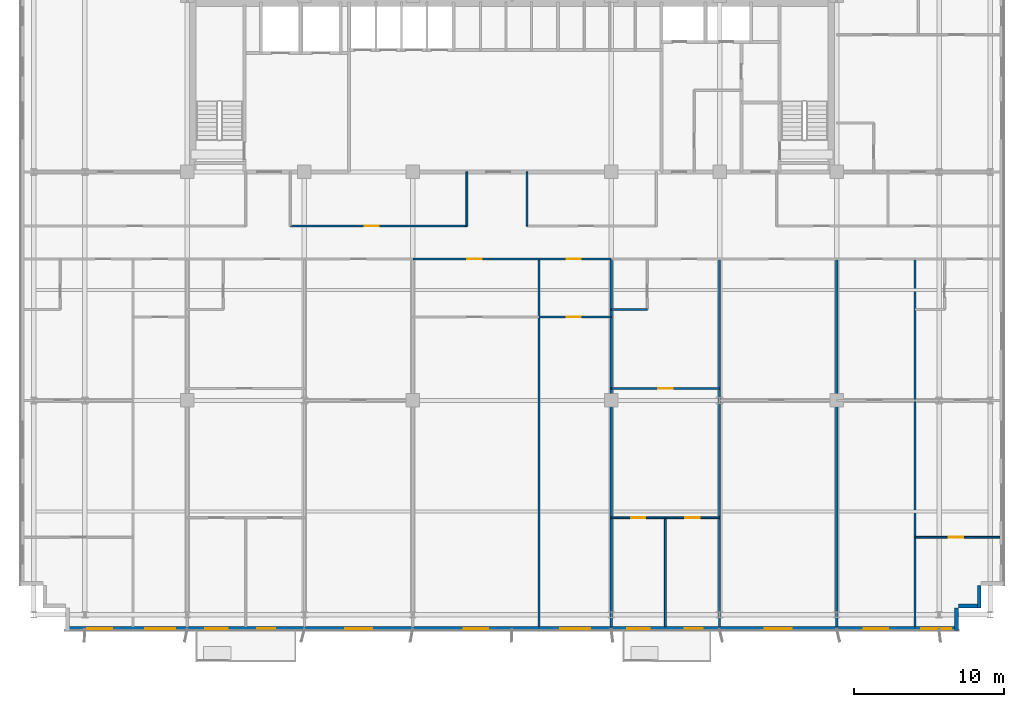
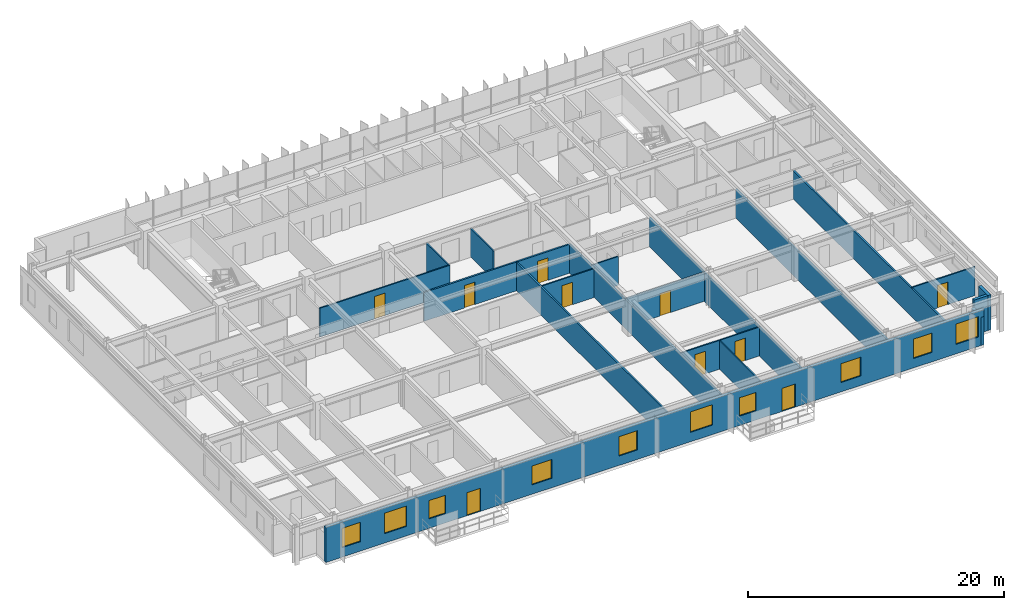
# One storey, part 16 of 22: 21 walls, 10 doors, 10 windows, 20 openings.
"""IFC4 building model written with IfcOpenShell, lengths in metres."""

import ifcopenshell
import ifcopenshell.guid

model = None  # the IFC model being written
_history = None  # IfcOwnerHistory: only IFC2X3 demands one
_inside = {}  # id of a spatial element -> (the spatial element, [elements in it])
_under = {}  # id of a project, library or spatial element -> (it, [spatial elements below it])
_declared = {}  # id of a project -> (the project, [libraries it declares])
_typed = {}  # id of a type object -> (the type object, [elements of that type])
_made_of = {}  # id of a material, layer set ... -> (it, [elements and type objects made of it])


def new_model(schema):
    """Start an empty IFC model of exactly this schema.

    Asked for "IFC4X3", IfcOpenShell would pick the latest addendum, in which some entities
    have other attributes; the version numbers below select the first issue.
    IFC2X3 requires an IfcOwnerHistory on every rooted entity: one is made here for all.
    """
    global model, _history
    if schema == "IFC4X3":
        model = ifcopenshell.file(schema_version=(4, 3, 0, 0))
    else:
        model = ifcopenshell.file(schema=schema)
    _inside.clear()
    _under.clear()
    _declared.clear()
    _typed.clear()
    _made_of.clear()
    _history = None
    if model.schema == "IFC2X3":
        org = make("IfcOrganization", Name="unknown")
        user = make(
            "IfcPersonAndOrganization",
            ThePerson=make("IfcPerson", FamilyName="unknown"),
            TheOrganization=org,
        )
        app = make(
            "IfcApplication",
            ApplicationDeveloper=org,
            Version="unknown",
            ApplicationFullName="unknown",
            ApplicationIdentifier="unknown",
        )
        _history = make(
            "IfcOwnerHistory",
            OwningUser=user,
            OwningApplication=app,
            ChangeAction="ADDED",
            CreationDate=0,
        )
    return model


def make(cls, **values):
    """One entity of the class cls with the attributes given. An attribute that is None is left unset."""
    return model.create_entity(
        cls, **{name: value for name, value in values.items() if value is not None}
    )


def rooted(cls, **values):
    """An entity with a GlobalId (a new one), such as an element, a storey or a relation."""
    return make(cls, GlobalId=ifcopenshell.guid.new(), OwnerHistory=_history, **values)


def si_unit(unit_type, name, prefix=None):
    """IfcSIUnit, for example si_unit("LENGTHUNIT", "METRE", prefix="MILLI")."""
    return make("IfcSIUnit", UnitType=unit_type, Prefix=prefix, Name=name)


def assignment(units):
    """IfcUnitAssignment: the units of a project."""
    return None if units is None else make("IfcUnitAssignment", Units=units)


def point(xyz):
    """IfcCartesianPoint."""
    return None if xyz is None else make("IfcCartesianPoint", Coordinates=xyz)


def direction(xyz):
    """IfcDirection."""
    return None if xyz is None else make("IfcDirection", DirectionRatios=xyz)


def frame(location, z_axis=None, x_axis=None):
    """IfcAxis2Placement3D, a coordinate frame: its origin and axes. An axis left out is left unset."""
    return make(
        "IfcAxis2Placement3D",
        Location=point(location),
        Axis=direction(z_axis),
        RefDirection=direction(x_axis),
    )


def frame_2d(location, x_axis=None):
    """IfcAxis2Placement2D, a coordinate frame in the plane: its origin and x axis."""
    return make(
        "IfcAxis2Placement2D", Location=point(location), RefDirection=direction(x_axis)
    )


def origin():
    """The frame at (0, 0, 0) with its axes left unset."""
    return frame((0.0, 0.0, 0.0))


def place(relative_to, where):
    """IfcLocalPlacement: puts the frame where relative to a parent placement (None: the world)."""
    return make(
        "IfcLocalPlacement", PlacementRelTo=relative_to, RelativePlacement=where
    )


def context(
    kind, dimensions, precision=None, world=None, true_north=None, identifier=None
):
    """IfcGeometricRepresentationContext, for example the 3D "Model" context."""
    return make(
        "IfcGeometricRepresentationContext",
        ContextIdentifier=identifier,
        ContextType=kind,
        CoordinateSpaceDimension=dimensions,
        Precision=precision,
        WorldCoordinateSystem=world,
        TrueNorth=true_north,
    )


def subcontext(parent, identifier, kind, view, scale=None):
    """IfcGeometricRepresentationSubContext, for example "Body" below "Model"."""
    return make(
        "IfcGeometricRepresentationSubContext",
        ContextIdentifier=identifier,
        ContextType=kind,
        ParentContext=parent,
        TargetScale=scale,
        TargetView=view,
    )


def project(units=None, contexts=None):
    """IfcProject with its units and contexts."""
    return rooted(
        "IfcProject",
        Name="project",
        RepresentationContexts=contexts,
        UnitsInContext=assignment(units),
    )


def spatial(cls, under=None, at=None, **own):
    """A site, building, storey or space (cls), placed at a placement, below another one or the project."""
    s = rooted(cls, ObjectPlacement=at, **own)
    if under is not None:
        _under.setdefault(under.id(), (under, []))[1].append(s)
    return s


def profile(cls, at=None, kind="AREA", **sizes):
    """A parametric profile (cls). Its sizes go by their IFC names, for example OverallWidth=200.0."""
    return make(cls, ProfileType=kind, Position=at, **sizes)


def rectangle(**sizes):
    """IfcRectangleProfileDef."""
    return profile("IfcRectangleProfileDef", **sizes)


def extrude(swept, where, along, depth):
    """IfcExtrudedAreaSolid: the profile swept, set in the frame where, extruded along a direction by depth."""
    return make(
        "IfcExtrudedAreaSolid",
        SweptArea=swept,
        Position=where,
        ExtrudedDirection=direction(along),
        Depth=depth,
    )


def shape(context_of_items, identifier, shape_type, items):
    """IfcShapeRepresentation: the items that make up one representation, for example the "Body"."""
    return make(
        "IfcShapeRepresentation",
        ContextOfItems=context_of_items,
        RepresentationIdentifier=identifier,
        RepresentationType=shape_type,
        Items=items,
    )


def source(mapping_origin, context_of_items, identifier, shape_type, items):
    """IfcRepresentationMap: a shape defined once, which mapped items show again and again."""
    return make(
        "IfcRepresentationMap",
        MappingOrigin=mapping_origin,
        MappedRepresentation=shape(context_of_items, identifier, shape_type, items),
    )


def transform(
    local_origin,
    x_axis=None,
    y_axis=None,
    z_axis=None,
    scale=None,
    scale2=None,
    scale3=None,
    uniform=True,
):
    """IfcCartesianTransformationOperator3D, or its non-uniform kind. x_axis, y_axis, z_axis: its Axis1, 2, 3."""
    if uniform:
        return make(
            "IfcCartesianTransformationOperator3D",
            Axis1=direction(x_axis),
            Axis2=direction(y_axis),
            LocalOrigin=point(local_origin),
            Scale=scale,
            Axis3=direction(z_axis),
        )
    return make(
        "IfcCartesianTransformationOperator3DnonUniform",
        Axis1=direction(x_axis),
        Axis2=direction(y_axis),
        LocalOrigin=point(local_origin),
        Scale=scale,
        Axis3=direction(z_axis),
        Scale2=scale2,
        Scale3=scale3,
    )


def mapped(mapping_source, mapping_target):
    """IfcMappedItem: shows the shape of a source again, moved by a transform."""
    return make(
        "IfcMappedItem", MappingSource=mapping_source, MappingTarget=mapping_target
    )


def material(Name=None, Category=None):
    """IfcMaterial."""
    return make("IfcMaterial", Name=Name, Category=Category)


def layer(
    of_material, thickness, ventilated=None, Name=None, Category=None, Priority=None
):
    """IfcMaterialLayer: one layer of a wall or slab, of a material (None: an air gap)."""
    return make(
        "IfcMaterialLayer",
        Material=of_material,
        LayerThickness=thickness,
        IsVentilated=ventilated,
        Name=Name,
        Category=Category,
        Priority=Priority,
    )


def layer_set(layers, Name=None):
    """IfcMaterialLayerSet."""
    return make("IfcMaterialLayerSet", MaterialLayers=layers, LayerSetName=Name)


def made_of(thing, what):
    """Note that an element or type object is made of a material, layer set ...; save() writes the relation."""
    if what is not None:
        _made_of.setdefault(what.id(), (what, []))[1].append(thing)
    return thing


def type_object(cls, material=None, **own):
    """A type object (cls), such as IfcWallType, which elements share."""
    return made_of(rooted(cls, **own), material)


def element(
    cls,
    number,
    at=None,
    inside=None,
    cuts=None,
    type_object=None,
    material=None,
    context=None,
    identifier="Body",
    shape_type=None,
    held_by="IfcProductDefinitionShape",
    body=None,
    shapes=None,
    **own,
):
    """One element of the class cls, such as IfcWall. Its Tag is "e" and its number.

    at: its placement. inside: the storey or other place that contains it. cuts: it is an
    opening in that element (IfcRelVoidsElement). A single representation is given by context,
    identifier, shape_type and body (its items); several are given by shapes. held_by: the class
    of the entity that holds the representations. save() writes the other relations.
    """
    e = rooted(cls, Tag="e%d" % number, ObjectPlacement=at, **own)
    if body is not None:
        shapes = [shape(context, identifier, shape_type, body)]
    if shapes is not None:
        e.Representation = make(held_by, Representations=shapes)
    if inside is not None:
        _inside.setdefault(inside.id(), (inside, []))[1].append(e)
    if cuts is not None:
        rooted(
            "IfcRelVoidsElement", RelatingBuildingElement=cuts, RelatedOpeningElement=e
        )
    if type_object is not None:
        _typed.setdefault(type_object.id(), (type_object, []))[1].append(e)
    return made_of(e, material)


def fill(opening, filler):
    """IfcRelFillsElement: the door or window that sits in an opening."""
    return rooted(
        "IfcRelFillsElement",
        RelatingOpeningElement=opening,
        RelatedBuildingElement=filler,
    )


def aggregate(whole, parts):
    """IfcRelAggregates: a whole, such as a stair, and the parts it consists of."""
    return rooted("IfcRelAggregates", RelatingObject=whole, RelatedObjects=parts)


def save(model, path):
    """Write the relations noted so far, then the file.

    IfcRelAggregates (storeys below a building ...), IfcRelContainedInSpatialStructure (elements
    in a storey), IfcRelDefinesByType, IfcRelAssociatesMaterial and IfcRelDeclares: one each for
    every whole, place, type object, material and project.
    """
    for whole, parts in _under.values():
        aggregate(whole, parts)
    for where, things in _inside.values():
        rooted(
            "IfcRelContainedInSpatialStructure",
            RelatedElements=things,
            RelatingStructure=where,
        )
    for kind, things in _typed.values():
        rooted("IfcRelDefinesByType", RelatedObjects=things, RelatingType=kind)
    for what, things in _made_of.values():
        rooted("IfcRelAssociatesMaterial", RelatedObjects=things, RelatingMaterial=what)
    for by, libraries in _declared.values():
        rooted("IfcRelDeclares", RelatingContext=by, RelatedDefinitions=libraries)
    model.write(path)


model = new_model("IFC4")

# Units and contexts
model_context = context("Model", 3, precision=1e-05, world=origin(), true_north=direction((0.0, 1.0)))
body_context = subcontext(model_context, "Body", "Model", "MODEL_VIEW")
ifc_project = project(units=[si_unit("LENGTHUNIT", "METRE"), si_unit("AREAUNIT", "SQUARE_METRE"), si_unit("VOLUMEUNIT", "CUBIC_METRE"), si_unit("PLANEANGLEUNIT", "RADIAN"), si_unit("MASSUNIT", "GRAM", prefix="KILO")], contexts=[model_context])

# Site, building, storey
site_placement = place(None, origin())
site = spatial("IfcSite", under=ifc_project, at=site_placement, CompositionType="ELEMENT")
building_placement = place(site_placement, origin())
building = spatial("IfcBuilding", under=site, at=building_placement, Name="Trelvane Seafront Commons", CompositionType="ELEMENT")
storey_placement = place(building_placement, frame((0.0, 0.0, 52.300048828125)))
storey = spatial("IfcBuildingStorey", under=building, at=storey_placement, Name="L13", CompositionType="ELEMENT", Elevation=52.300048828125)

# Walls
ifc_material_1 = material(Name="Precast concrete C40/50", Category="concrete")
ifc_layer_1 = layer(ifc_material_1, 0.260009765625, Name="ARCH-WALL-EXT260")
ifc_layer_set_1 = layer_set([ifc_layer_1], Name="Precast concrete C40/50")
wall_type_1 = type_object("IfcWallType", Name="ARCH-WALL-EXT260", PredefinedType="SOLIDWALL", material=ifc_layer_set_1)
for number, where, z_axis, x_axis, name in (
    (1, (68.27001953125, 5.89990234375, 0.0), (0.0, 0.0, 1.0), (0.0, -1.0, 0.0), "EW-L13-00229"),
    (2, (68.39990234375, 4.530029296875, 0.0), (0.0, 0.0, 1.0), (-1.0, 0.0, 0.0), "EW-L13-00230"),
):
    element("IfcWall", number, at=place(storey_placement, frame(where, z_axis=z_axis, x_axis=x_axis)), inside=storey, type_object=wall_type_1, Name=name, PredefinedType="SOLIDWALL", context=body_context, shape_type="SweptSolid", body=[
        extrude(rectangle(XDim=1.5, YDim=0.260009765625, at=frame_2d((0.75, 0.0))), origin(), (0.0, 0.0, 1.0), 3.33984375),
    ])
wall_1_placement = place(storey_placement, frame((66.77001953125, 4.39990234375, 0.0), z_axis=(0.0, 0.0, 1.0), x_axis=(0.0, -1.0, 0.0)))
element("IfcWall", 3, at=wall_1_placement, inside=storey, type_object=wall_type_1, Name="EW-L13-00231", PredefinedType="SOLIDWALL", context=body_context, shape_type="SweptSolid", body=[
    extrude(rectangle(XDim=1.5, YDim=0.260009765625, at=frame_2d((0.75, 0.0))), origin(), (0.0, 0.0, 1.0), 2.68994140625),
])

# Wall, openings, doors, windows
wall_2_placement = place(storey_placement, frame((66.89990234375, 3.030029296875, 0.0), z_axis=(0.0, 0.0, 1.0), x_axis=(-1.0, 0.0, 0.0)))
wall_2 = element("IfcWall", 4, at=wall_2_placement, inside=storey, type_object=wall_type_1, Name="EW-L13-00232", PredefinedType="SOLIDWALL", context=body_context, shape_type="SweptSolid", body=[
    extrude(rectangle(XDim=59.39990234375, YDim=0.260009765625, at=frame_2d((29.699951171875, 0.0))), origin(), (0.0, 0.0, 1.0), 3.33984375),
])
opening_1_placement = place(wall_2_placement, frame((0.4951171875, 0.0, 0.89990234375)))
opening_1 = element("IfcOpeningElement", 5, at=opening_1_placement, cuts=wall_2, Name="Opening W06", PredefinedType="OPENING", context=body_context, shape_type="SweptSolid", body=[
    extrude(rectangle(XDim=2.0, YDim=1.949951171875, at=frame_2d((1.0, 0.97509765625))), frame((0.0, 0.139892578125, 0.0), z_axis=(0.0, -1.0, 0.0), x_axis=(1.0, 0.0, 0.0)), (0.0, 0.0, 1.0), 0.280029296875),
])
opening_2_placement = place(wall_2_placement, frame((4.675048828125, 0.0, 0.89990234375)))
opening_2 = element("IfcOpeningElement", 6, at=opening_2_placement, cuts=wall_2, Name="Opening W07", PredefinedType="OPENING", context=body_context, shape_type="SweptSolid", body=[
    extrude(rectangle(XDim=1.64990234375, YDim=1.85009765625, at=frame_2d((0.824951171875, 0.925048828125))), frame((0.0, 0.139892578125, 0.0), z_axis=(0.0, -1.0, 0.0), x_axis=(1.0, 0.0, 0.0)), (0.0, 0.0, 1.0), 0.280029296875),
])
opening_3_placement = place(wall_2_placement, frame((11.10009765625, 0.0, 0.89990234375)))
opening_3 = element("IfcOpeningElement", 7, at=opening_3_placement, cuts=wall_2, Name="Opening W01", PredefinedType="OPENING", context=body_context, shape_type="SweptSolid", body=[
    extrude(rectangle(XDim=1.800048828125, YDim=1.800048828125, at=frame_2d((0.89990234375, 0.89990234375))), frame((0.0, 0.139892578125, 0.0), z_axis=(0.0, -1.0, 0.0), x_axis=(1.0, 0.0, 0.0)), (0.0, 0.0, 1.0), 0.280029296875),
])
opening_4_placement = place(wall_2_placement, frame((17.007080078125, 0.0, 0.0)))
opening_4 = element("IfcOpeningElement", 8, at=opening_4_placement, cuts=wall_2, Name="Opening BD-L13-34", PredefinedType="OPENING", context=body_context, shape_type="SweptSolid", body=[
    extrude(rectangle(XDim=1.199951171875, YDim=2.199951171875, at=frame_2d((0.60009765625, 1.10009765625))), frame((0.0, 0.139892578125, 0.0), z_axis=(0.0, -1.0, 0.0), x_axis=(1.0, 0.0, 0.0)), (0.0, 0.0, 1.0), 0.280029296875),
])
opening_5_placement = place(wall_2_placement, frame((20.550048828125, 0.0, 0.89990234375)))
opening_5 = element("IfcOpeningElement", 9, at=opening_5_placement, cuts=wall_2, Name="Opening W03", PredefinedType="OPENING", context=body_context, shape_type="SweptSolid", body=[
    extrude(rectangle(XDim=1.5, YDim=1.75, at=frame_2d((0.75, 0.875))), frame((0.0, 0.139892578125, 0.0), z_axis=(0.0, -1.0, 0.0), x_axis=(1.0, 0.0, 0.0)), (0.0, 0.0, 1.0), 0.280029296875),
])
opening_6_placement = place(wall_2_placement, frame((24.5, 0.0, 0.89990234375)))
opening_6 = element("IfcOpeningElement", 10, at=opening_6_placement, cuts=wall_2, Name="Opening W06", PredefinedType="OPENING", context=body_context, shape_type="SweptSolid", body=[
    extrude(rectangle(XDim=2.0, YDim=1.949951171875, at=frame_2d((1.0, 0.97509765625))), frame((0.0, 0.139892578125, 0.0), z_axis=(0.0, -1.0, 0.0), x_axis=(1.0, 0.0, 0.0)), (0.0, 0.0, 1.0), 0.280029296875),
])
opening_7_placement = place(wall_2_placement, frame((31.27490234375, 0.0, 0.89990234375)))
opening_7 = element("IfcOpeningElement", 11, at=opening_7_placement, cuts=wall_2, Name="Opening W07", PredefinedType="OPENING", context=body_context, shape_type="SweptSolid", body=[
    extrude(rectangle(XDim=1.64990234375, YDim=1.85009765625, at=frame_2d((0.824951171875, 0.925048828125))), frame((0.0, 0.139892578125, 0.0), z_axis=(0.0, -1.0, 0.0), x_axis=(1.0, 0.0, 0.0)), (0.0, 0.0, 1.0), 0.280029296875),
])
opening_8_placement = place(wall_2_placement, frame((39.0, 0.0, 0.89990234375)))
opening_8 = element("IfcOpeningElement", 12, at=opening_8_placement, cuts=wall_2, Name="Opening W01", PredefinedType="OPENING", context=body_context, shape_type="SweptSolid", body=[
    extrude(rectangle(XDim=1.800048828125, YDim=1.800048828125, at=frame_2d((0.89990234375, 0.89990234375))), frame((0.0, 0.139892578125, 0.0), z_axis=(0.0, -1.0, 0.0), x_axis=(1.0, 0.0, 0.0)), (0.0, 0.0, 1.0), 0.280029296875),
])
opening_9_placement = place(wall_2_placement, frame((45.43505859375, 0.0, 0.0)))
opening_9 = element("IfcOpeningElement", 13, at=opening_9_placement, cuts=wall_2, Name="Opening BD-L13-35", PredefinedType="OPENING", context=body_context, shape_type="SweptSolid", body=[
    extrude(rectangle(XDim=1.199951171875, YDim=2.199951171875, at=frame_2d((0.60009765625, 1.10009765625))), frame((0.0, 0.139892578125, 0.0), z_axis=(0.0, -1.0, 0.0), x_axis=(1.0, 0.0, 0.0)), (0.0, 0.0, 1.0), 0.280029296875),
])
opening_10_placement = place(wall_2_placement, frame((48.60009765625, 0.0, 0.89990234375)))
opening_10 = element("IfcOpeningElement", 14, at=opening_10_placement, cuts=wall_2, Name="Opening W03", PredefinedType="OPENING", context=body_context, shape_type="SweptSolid", body=[
    extrude(rectangle(XDim=1.5, YDim=1.75, at=frame_2d((0.75, 0.875))), frame((0.0, 0.139892578125, 0.0), z_axis=(0.0, -1.0, 0.0), x_axis=(1.0, 0.0, 0.0)), (0.0, 0.0, 1.0), 0.280029296875),
])
opening_11_placement = place(wall_2_placement, frame((52.10009765625, 0.0, 0.89990234375)))
opening_11 = element("IfcOpeningElement", 15, at=opening_11_placement, cuts=wall_2, Name="Opening W06", PredefinedType="OPENING", context=body_context, shape_type="SweptSolid", body=[
    extrude(rectangle(XDim=2.0, YDim=1.949951171875, at=frame_2d((1.0, 0.97509765625))), frame((0.0, 0.139892578125, 0.0), z_axis=(0.0, -1.0, 0.0), x_axis=(1.0, 0.0, 0.0)), (0.0, 0.0, 1.0), 0.280029296875),
])
opening_12_placement = place(wall_2_placement, frame((56.280029296875, 0.0, 0.89990234375)))
opening_12 = element("IfcOpeningElement", 16, at=opening_12_placement, cuts=wall_2, Name="Opening W07", PredefinedType="OPENING", context=body_context, shape_type="SweptSolid", body=[
    extrude(rectangle(XDim=1.64990234375, YDim=1.85009765625, at=frame_2d((0.824951171875, 0.925048828125))), frame((0.0, 0.139892578125, 0.0), z_axis=(0.0, -1.0, 0.0), x_axis=(1.0, 0.0, 0.0)), (0.0, 0.0, 1.0), 0.280029296875),
])
ifc_material_2 = material(Name="Powder-coated aluminium frame", Category="aluminium")
door_type_1 = type_object("IfcDoorType", Name="ARCH-DR-BAL1200", OperationType="NOTDEFINED", PredefinedType="DOOR", material=ifc_material_2)
shared_shape_1 = source(origin(), body_context, "Body", "SweptSolid", [
    extrude(rectangle(XDim=1.199951171875, YDim=2.199951171875, at=frame_2d((0.60009765625, 1.10009765625))), frame((0.0, 0.02490234375, 0.0), z_axis=(0.0, -1.0, 0.0), x_axis=(1.0, 0.0, 0.0)), (0.0, 0.0, 1.0), 0.050048828125),
])
door_1_placement = place(opening_4_placement, origin())
door_1 = element("IfcDoor", 17, at=door_1_placement, inside=storey, type_object=door_type_1, Name="L13 Balcony Terrace Access Door", OperationType="SINGLE_SWING_LEFT", OverallHeight=2.199951171875, OverallWidth=1.199951171875, PredefinedType="DOOR", context=body_context, shape_type="MappedRepresentation", body=[
    mapped(shared_shape_1, transform((0.0, 0.0, 0.0), x_axis=(1.0, 0.0, 0.0), y_axis=(0.0, 1.0, 0.0), z_axis=(0.0, 0.0, 1.0), scale=1.0)),
])
fill(opening_4, door_1)
door_2_placement = place(opening_9_placement, origin())
door_2 = element("IfcDoor", 18, at=door_2_placement, inside=storey, type_object=door_type_1, Name="L13 Balcony Terrace Access Door", OperationType="SINGLE_SWING_LEFT", OverallHeight=2.199951171875, OverallWidth=1.199951171875, PredefinedType="DOOR", context=body_context, shape_type="MappedRepresentation", body=[
    mapped(shared_shape_1, transform((0.0, 0.0, 0.0), x_axis=(1.0, 0.0, 0.0), y_axis=(0.0, 1.0, 0.0), z_axis=(0.0, 0.0, 1.0), scale=1.0)),
])
fill(opening_9, door_2)
ifc_material_3 = material(Name="Low-E coastal double glazing", Category="glass")
window_type_1 = type_object("IfcWindowType", Name="ARCH-WIN-W03", PartitioningType="SINGLE_PANEL", PredefinedType="WINDOW", material=ifc_material_3)
shared_shape_2 = source(origin(), body_context, "Body", "SweptSolid", [
    extrude(rectangle(XDim=1.5, YDim=1.75, at=frame_2d((0.75, 0.875))), frame((0.0, 0.030029296875, 0.0), z_axis=(0.0, -1.0, 0.0), x_axis=(1.0, 0.0, 0.0)), (0.0, 0.0, 1.0), 0.06005859375),
])
window_1_placement = place(opening_5_placement, origin())
window_1 = element("IfcWindow", 19, at=window_1_placement, inside=storey, type_object=window_type_1, Name="WIN-L13-00281", OverallHeight=1.75, OverallWidth=1.5, PartitioningType="SINGLE_PANEL", PredefinedType="WINDOW", context=body_context, shape_type="MappedRepresentation", body=[
    mapped(shared_shape_2, transform((0.0, 0.0, 0.0), x_axis=(1.0, 0.0, 0.0), y_axis=(0.0, 1.0, 0.0), z_axis=(0.0, 0.0, 1.0), scale=1.0)),
])
fill(opening_5, window_1)
window_2_placement = place(opening_10_placement, origin())
window_2 = element("IfcWindow", 20, at=window_2_placement, inside=storey, type_object=window_type_1, Name="WIN-L13-00285", OverallHeight=1.75, OverallWidth=1.5, PartitioningType="SINGLE_PANEL", PredefinedType="WINDOW", context=body_context, shape_type="MappedRepresentation", body=[
    mapped(shared_shape_2, transform((0.0, 0.0, 0.0), x_axis=(1.0, 0.0, 0.0), y_axis=(0.0, 1.0, 0.0), z_axis=(0.0, 0.0, 1.0), scale=1.0)),
])
fill(opening_10, window_2)
window_type_2 = type_object("IfcWindowType", Name="ARCH-WIN-W06", PartitioningType="SINGLE_PANEL", PredefinedType="WINDOW", material=ifc_material_3)
shared_shape_3 = source(origin(), body_context, "Body", "SweptSolid", [
    extrude(rectangle(XDim=2.0, YDim=1.949951171875, at=frame_2d((1.0, 0.97509765625))), frame((0.0, 0.030029296875, 0.0), z_axis=(0.0, -1.0, 0.0), x_axis=(1.0, 0.0, 0.0)), (0.0, 0.0, 1.0), 0.06005859375),
])
window_3_placement = place(opening_1_placement, origin())
window_3 = element("IfcWindow", 21, at=window_3_placement, inside=storey, type_object=window_type_2, Name="WIN-L13-00278", OverallHeight=1.949951171875, OverallWidth=2.0, PartitioningType="SINGLE_PANEL", PredefinedType="WINDOW", context=body_context, shape_type="MappedRepresentation", body=[
    mapped(shared_shape_3, transform((0.0, 0.0, 0.0), x_axis=(1.0, 0.0, 0.0), y_axis=(0.0, 1.0, 0.0), z_axis=(0.0, 0.0, 1.0), scale=1.0)),
])
fill(opening_1, window_3)
window_4_placement = place(opening_6_placement, origin())
window_4 = element("IfcWindow", 22, at=window_4_placement, inside=storey, type_object=window_type_2, Name="WIN-L13-00282", OverallHeight=1.949951171875, OverallWidth=2.0, PartitioningType="SINGLE_PANEL", PredefinedType="WINDOW", context=body_context, shape_type="MappedRepresentation", body=[
    mapped(shared_shape_3, transform((0.0, 0.0, 0.0), x_axis=(1.0, 0.0, 0.0), y_axis=(0.0, 1.0, 0.0), z_axis=(0.0, 0.0, 1.0), scale=1.0)),
])
fill(opening_6, window_4)
window_5_placement = place(opening_11_placement, origin())
window_5 = element("IfcWindow", 23, at=window_5_placement, inside=storey, type_object=window_type_2, Name="WIN-L13-00286", OverallHeight=1.949951171875, OverallWidth=2.0, PartitioningType="SINGLE_PANEL", PredefinedType="WINDOW", context=body_context, shape_type="MappedRepresentation", body=[
    mapped(shared_shape_3, transform((0.0, 0.0, 0.0), x_axis=(1.0, 0.0, 0.0), y_axis=(0.0, 1.0, 0.0), z_axis=(0.0, 0.0, 1.0), scale=1.0)),
])
fill(opening_11, window_5)
window_type_3 = type_object("IfcWindowType", Name="ARCH-WIN-W01", PartitioningType="SINGLE_PANEL", PredefinedType="WINDOW", material=ifc_material_3)
shared_shape_4 = source(origin(), body_context, "Body", "SweptSolid", [
    extrude(rectangle(XDim=1.800048828125, YDim=1.800048828125, at=frame_2d((0.89990234375, 0.89990234375))), frame((0.0, 0.030029296875, 0.0), z_axis=(0.0, -1.0, 0.0), x_axis=(1.0, 0.0, 0.0)), (0.0, 0.0, 1.0), 0.06005859375),
])
window_6_placement = place(opening_3_placement, origin())
window_6 = element("IfcWindow", 24, at=window_6_placement, inside=storey, type_object=window_type_3, Name="WIN-L13-00280", OverallHeight=1.800048828125, OverallWidth=1.800048828125, PartitioningType="SINGLE_PANEL", PredefinedType="WINDOW", context=body_context, shape_type="MappedRepresentation", body=[
    mapped(shared_shape_4, transform((0.0, 0.0, 0.0), x_axis=(1.0, 0.0, 0.0), y_axis=(0.0, 1.0, 0.0), z_axis=(0.0, 0.0, 1.0), scale=1.0)),
])
fill(opening_3, window_6)
window_7_placement = place(opening_8_placement, origin())
window_7 = element("IfcWindow", 25, at=window_7_placement, inside=storey, type_object=window_type_3, Name="WIN-L13-00284", OverallHeight=1.800048828125, OverallWidth=1.800048828125, PartitioningType="SINGLE_PANEL", PredefinedType="WINDOW", context=body_context, shape_type="MappedRepresentation", body=[
    mapped(shared_shape_4, transform((0.0, 0.0, 0.0), x_axis=(1.0, 0.0, 0.0), y_axis=(0.0, 1.0, 0.0), z_axis=(0.0, 0.0, 1.0), scale=1.0)),
])
fill(opening_8, window_7)
window_type_4 = type_object("IfcWindowType", Name="ARCH-WIN-W07", PartitioningType="SINGLE_PANEL", PredefinedType="WINDOW", material=ifc_material_3)
shared_shape_5 = source(origin(), body_context, "Body", "SweptSolid", [
    extrude(rectangle(XDim=1.64990234375, YDim=1.85009765625, at=frame_2d((0.824951171875, 0.925048828125))), frame((0.0, 0.030029296875, 0.0), z_axis=(0.0, -1.0, 0.0), x_axis=(1.0, 0.0, 0.0)), (0.0, 0.0, 1.0), 0.06005859375),
])
window_8_placement = place(opening_2_placement, origin())
window_8 = element("IfcWindow", 26, at=window_8_placement, inside=storey, type_object=window_type_4, Name="WIN-L13-00279", OverallHeight=1.85009765625, OverallWidth=1.64990234375, PartitioningType="SINGLE_PANEL", PredefinedType="WINDOW", context=body_context, shape_type="MappedRepresentation", body=[
    mapped(shared_shape_5, transform((0.0, 0.0, 0.0), x_axis=(1.0, 0.0, 0.0), y_axis=(0.0, 1.0, 0.0), z_axis=(0.0, 0.0, 1.0), scale=1.0)),
])
fill(opening_2, window_8)
window_9_placement = place(opening_7_placement, origin())
window_9 = element("IfcWindow", 27, at=window_9_placement, inside=storey, type_object=window_type_4, Name="WIN-L13-00283", OverallHeight=1.85009765625, OverallWidth=1.64990234375, PartitioningType="SINGLE_PANEL", PredefinedType="WINDOW", context=body_context, shape_type="MappedRepresentation", body=[
    mapped(shared_shape_5, transform((0.0, 0.0, 0.0), x_axis=(1.0, 0.0, 0.0), y_axis=(0.0, 1.0, 0.0), z_axis=(0.0, 0.0, 1.0), scale=1.0)),
])
fill(opening_7, window_9)
window_10_placement = place(opening_12_placement, origin())
window_10 = element("IfcWindow", 28, at=window_10_placement, inside=storey, type_object=window_type_4, Name="WIN-L13-00287", OverallHeight=1.85009765625, OverallWidth=1.64990234375, PartitioningType="SINGLE_PANEL", PredefinedType="WINDOW", context=body_context, shape_type="MappedRepresentation", body=[
    mapped(shared_shape_5, transform((0.0, 0.0, 0.0), x_axis=(1.0, 0.0, 0.0), y_axis=(0.0, 1.0, 0.0), z_axis=(0.0, 0.0, 1.0), scale=1.0)),
])
fill(opening_12, window_10)

# Wall, opening, door
ifc_material_4 = material(Name="Gypsum Drywall Acoustic Partition")
ifc_layer_2 = layer(ifc_material_4, 0.1201171875, Name="ARCH-WALL-PART120")
ifc_layer_set_2 = layer_set([ifc_layer_2], Name="Gypsum Drywall Acoustic Partition")
wall_type_2 = type_object("IfcWallType", Name="ARCH-WALL-PART120", PredefinedType="PARTITIONING", material=ifc_layer_set_2)
wall_3_placement = place(storey_placement, frame((22.449951171875, 29.800048828125, 0.0), z_axis=(0.0, 0.0, 1.0), x_axis=(1.0, 0.0, 0.0)))
wall_3 = element("IfcWall", 29, at=wall_3_placement, inside=storey, type_object=wall_type_2, Name="W-L13-CORR-N-M1-039", PredefinedType="PARTITIONING", context=body_context, shape_type="SweptSolid", body=[
    extrude(rectangle(XDim=11.75, YDim=0.1201171875, at=frame_2d((5.875, 0.0))), origin(), (0.0, 0.0, 1.0), 2.751953125),
])
opening_13_placement = place(wall_3_placement, frame((4.944091796875, 0.0, 0.0)))
opening_13 = element("IfcOpeningElement", 30, at=opening_13_placement, cuts=wall_3, Name="Opening D-L13-18", PredefinedType="OPENING", context=body_context, shape_type="SweptSolid", body=[
    extrude(rectangle(XDim=0.949951171875, YDim=2.14990234375, at=frame_2d((0.47509765625, 1.074951171875))), frame((0.0, 0.070068359375, 0.0), z_axis=(0.0, -1.0, 0.0), x_axis=(1.0, 0.0, 0.0)), (0.0, 0.0, 1.0), 0.14013671875),
])
ifc_material_5 = material(Name="Acoustic timber door leaf", Category="wood")
door_type_2 = type_object("IfcDoorType", Name="ARCH-DR-INT950", OperationType="NOTDEFINED", PredefinedType="DOOR", material=ifc_material_5)
shared_shape_6 = source(origin(), body_context, "Body", "SweptSolid", [
    extrude(rectangle(XDim=0.949951171875, YDim=2.14990234375, at=frame_2d((0.47509765625, 1.074951171875))), frame((0.0, 0.02490234375, 0.0), z_axis=(0.0, -1.0, 0.0), x_axis=(1.0, 0.0, 0.0)), (0.0, 0.0, 1.0), 0.050048828125),
])
door_3_placement = place(opening_13_placement, origin())
door_3 = element("IfcDoor", 31, at=door_3_placement, inside=storey, type_object=door_type_2, Name="L13 Door 18", OperationType="SINGLE_SWING_RIGHT", OverallHeight=2.14990234375, OverallWidth=0.949951171875, PredefinedType="DOOR", context=body_context, shape_type="MappedRepresentation", body=[
    mapped(shared_shape_6, transform((0.0, 0.0, 0.0), x_axis=(1.0, 0.0, 0.0), y_axis=(0.0, 1.0, 0.0), z_axis=(0.0, 0.0, 1.0), scale=1.0)),
])
fill(opening_13, door_3)

# Walls
for number, where, z_axis, x_axis, name in (
    (32, (34.199951171875, 29.800048828125, 0.0), (0.0, 0.0, 1.0), (0.0, 1.0, 0.0), "W-L13-N-SPUR-M1-045"),
    (33, (38.199951171875, 29.800048828125, 0.0), (0.0, 0.0, 1.0), (0.0, 1.0, 0.0), "W-L13-N-SPUR-M2-046"),
):
    element("IfcWall", number, at=place(storey_placement, frame(where, z_axis=z_axis, x_axis=x_axis)), inside=storey, type_object=wall_type_2, Name=name, PredefinedType="PARTITIONING", context=body_context, shape_type="SweptSolid", body=[
        extrude(rectangle(XDim=3.599853515625, YDim=0.1201171875, at=frame_2d((1.7998046875, 0.0))), origin(), (0.0, 0.0, 1.0), 2.68994140625),
    ])

# Wall, opening, door
wall_4_placement = place(storey_placement, frame((39.0, 23.75, 0.0), z_axis=(0.0, 0.0, 1.0), x_axis=(1.0, 0.0, 0.0)))
wall_4 = element("IfcWall", 34, at=wall_4_placement, inside=storey, type_object=wall_type_2, Name="W-L13-U6-DIV-087", PredefinedType="PARTITIONING", context=body_context, shape_type="SweptSolid", body=[
    extrude(rectangle(XDim=4.800048828125, YDim=0.1201171875, at=frame_2d((2.39990234375, 0.0))), origin(), (0.0, 0.0, 1.0), 2.751953125),
])
opening_14_placement = place(wall_4_placement, frame((1.833984375, 0.0, 0.0)))
opening_14 = element("IfcOpeningElement", 35, at=opening_14_placement, cuts=wall_4, Name="Opening D-L13-46", PredefinedType="OPENING", context=body_context, shape_type="SweptSolid", body=[
    extrude(rectangle(XDim=0.949951171875, YDim=2.14990234375, at=frame_2d((0.47509765625, 1.074951171875))), frame((0.0, 0.070068359375, 0.0), z_axis=(0.0, -1.0, 0.0), x_axis=(1.0, 0.0, 0.0)), (0.0, 0.0, 1.0), 0.14013671875),
])
door_4_placement = place(opening_14_placement, origin())
door_4 = element("IfcDoor", 36, at=door_4_placement, inside=storey, type_object=door_type_2, Name="L13 Door 46", OperationType="SINGLE_SWING_RIGHT", OverallHeight=2.14990234375, OverallWidth=0.949951171875, PredefinedType="DOOR", context=body_context, shape_type="MappedRepresentation", body=[
    mapped(shared_shape_6, transform((0.0, 0.0, 0.0), x_axis=(1.0, 0.0, 0.0), y_axis=(0.0, 1.0, 0.0), z_axis=(0.0, 0.0, 1.0), scale=1.0)),
])
fill(opening_14, door_4)

wall_5_placement = place(storey_placement, frame((43.800048828125, 19.0, 0.0), z_axis=(0.0, 0.0, 1.0), x_axis=(1.0, 0.0, 0.0)))
wall_5 = element("IfcWall", 37, at=wall_5_placement, inside=storey, type_object=wall_type_2, Name="W-L13-U7-KL-088", PredefinedType="PARTITIONING", context=body_context, shape_type="SweptSolid", body=[
    extrude(rectangle(XDim=7.199951171875, YDim=0.1201171875, at=frame_2d((3.60009765625, 0.0))), origin(), (0.0, 0.0, 1.0), 2.751953125),
])
opening_15_placement = place(wall_5_placement, frame((3.125, 0.0, 0.0)))
opening_15 = element("IfcOpeningElement", 38, at=opening_15_placement, cuts=wall_5, Name="Opening D-L13-47", PredefinedType="OPENING", context=body_context, shape_type="SweptSolid", body=[
    extrude(rectangle(XDim=0.949951171875, YDim=2.14990234375, at=frame_2d((0.47509765625, 1.074951171875))), frame((0.0, 0.070068359375, 0.0), z_axis=(0.0, -1.0, 0.0), x_axis=(1.0, 0.0, 0.0)), (0.0, 0.0, 1.0), 0.14013671875),
])
door_5_placement = place(opening_15_placement, origin())
door_5 = element("IfcDoor", 39, at=door_5_placement, inside=storey, type_object=door_type_2, Name="L13 Door 47", OperationType="SINGLE_SWING_LEFT", OverallHeight=2.14990234375, OverallWidth=0.949951171875, PredefinedType="DOOR", context=body_context, shape_type="MappedRepresentation", body=[
    mapped(shared_shape_6, transform((0.0, 0.0, 0.0), x_axis=(1.0, 0.0, 0.0), y_axis=(0.0, 1.0, 0.0), z_axis=(0.0, 0.0, 1.0), scale=1.0)),
])
fill(opening_15, door_5)

# Wall
wall_6_placement = place(storey_placement, frame((43.800048828125, 24.25, 0.0), z_axis=(0.0, 0.0, 1.0), x_axis=(1.0, 0.0, 0.0)))
element("IfcWall", 40, at=wall_6_placement, inside=storey, type_object=wall_type_2, Name="W-L13-U7-BS-090", PredefinedType="PARTITIONING", context=body_context, shape_type="SweptSolid", body=[
    extrude(rectangle(XDim=2.39990234375, YDim=0.1201171875, at=frame_2d((1.199951171875, 0.0))), origin(), (0.0, 0.0, 1.0), 2.751953125),
])

# Wall, opening, door
wall_7_placement = place(storey_placement, frame((43.800048828125, 10.39990234375, 0.0), z_axis=(0.0, 0.0, 1.0), x_axis=(1.0, 0.0, 0.0)))
wall_7 = element("IfcWall", 41, at=wall_7_placement, inside=storey, type_object=wall_type_2, Name="W-L13-U7-YM-1-092", PredefinedType="PARTITIONING", context=body_context, shape_type="SweptSolid", body=[
    extrude(rectangle(XDim=3.599853515625, YDim=0.1201171875, at=frame_2d((1.7998046875, 0.0))), origin(), (0.0, 0.0, 1.0), 2.751953125),
])
opening_16_placement = place(wall_7_placement, frame((1.324951171875, 0.0, 0.0)))
opening_16 = element("IfcOpeningElement", 42, at=opening_16_placement, cuts=wall_7, Name="Opening D-L13-50", PredefinedType="OPENING", context=body_context, shape_type="SweptSolid", body=[
    extrude(rectangle(XDim=0.949951171875, YDim=2.14990234375, at=frame_2d((0.47509765625, 1.074951171875))), frame((0.0, 0.070068359375, 0.0), z_axis=(0.0, -1.0, 0.0), x_axis=(1.0, 0.0, 0.0)), (0.0, 0.0, 1.0), 0.14013671875),
])
door_6_placement = place(opening_16_placement, origin())
door_6 = element("IfcDoor", 43, at=door_6_placement, inside=storey, type_object=door_type_2, Name="L13 Door 50", OperationType="SINGLE_SWING_RIGHT", OverallHeight=2.14990234375, OverallWidth=0.949951171875, PredefinedType="DOOR", context=body_context, shape_type="MappedRepresentation", body=[
    mapped(shared_shape_6, transform((0.0, 0.0, 0.0), x_axis=(1.0, 0.0, 0.0), y_axis=(0.0, 1.0, 0.0), z_axis=(0.0, 0.0, 1.0), scale=1.0)),
])
fill(opening_16, door_6)

wall_8_placement = place(storey_placement, frame((47.39990234375, 10.39990234375, 0.0), z_axis=(0.0, 0.0, 1.0), x_axis=(1.0, 0.0, 0.0)))
wall_8 = element("IfcWall", 44, at=wall_8_placement, inside=storey, type_object=wall_type_2, Name="W-L13-U7-YM-2-093", PredefinedType="PARTITIONING", context=body_context, shape_type="SweptSolid", body=[
    extrude(rectangle(XDim=3.60009765625, YDim=0.1201171875, at=frame_2d((1.800048828125, 0.0))), origin(), (0.0, 0.0, 1.0), 2.751953125),
])
opening_17_placement = place(wall_8_placement, frame((1.324951171875, 0.0, 0.0)))
opening_17 = element("IfcOpeningElement", 45, at=opening_17_placement, cuts=wall_8, Name="Opening D-L13-51", PredefinedType="OPENING", context=body_context, shape_type="SweptSolid", body=[
    extrude(rectangle(XDim=0.949951171875, YDim=2.14990234375, at=frame_2d((0.47509765625, 1.074951171875))), frame((0.0, 0.070068359375, 0.0), z_axis=(0.0, -1.0, 0.0), x_axis=(1.0, 0.0, 0.0)), (0.0, 0.0, 1.0), 0.14013671875),
])
door_7_placement = place(opening_17_placement, origin())
door_7 = element("IfcDoor", 46, at=door_7_placement, inside=storey, type_object=door_type_2, Name="L13 Door 51", OperationType="SINGLE_SWING_LEFT", OverallHeight=2.14990234375, OverallWidth=0.949951171875, PredefinedType="DOOR", context=body_context, shape_type="MappedRepresentation", body=[
    mapped(shared_shape_6, transform((0.0, 0.0, 0.0), x_axis=(1.0, 0.0, 0.0), y_axis=(0.0, 1.0, 0.0), z_axis=(0.0, 0.0, 1.0), scale=1.0)),
])
fill(opening_17, door_7)

# Wall
wall_9_placement = place(storey_placement, frame((47.39990234375, 3.14501953125, 0.0), z_axis=(0.0, 0.0, 1.0), x_axis=(0.0, 1.0, 0.0)))
element("IfcWall", 47, at=wall_9_placement, inside=storey, type_object=wall_type_2, Name="W-L13-U7-BDV-1-094", PredefinedType="PARTITIONING", context=body_context, shape_type="SweptSolid", body=[
    extrude(rectangle(XDim=7.2548828125, YDim=0.1201171875, at=frame_2d((3.62744140625, 0.0))), origin(), (0.0, 0.0, 1.0), 2.68994140625),
])

# Wall, opening, door
wall_10_placement = place(storey_placement, frame((64.0, 9.10009765625, 0.0), z_axis=(0.0, 0.0, 1.0), x_axis=(1.0, 0.0, 0.0)))
wall_10 = element("IfcWall", 48, at=wall_10_placement, inside=storey, type_object=wall_type_2, Name="W-L13-U10-YM-1-103", PredefinedType="PARTITIONING", context=body_context, shape_type="SweptSolid", body=[
    extrude(rectangle(XDim=5.639892578125, YDim=0.1201171875, at=frame_2d((2.81982421875, 0.0))), origin(), (0.0, 0.0, 1.0), 2.751953125),
])
opening_18_placement = place(wall_10_placement, frame((2.2509765625, 0.0, 0.0)))
opening_18 = element("IfcOpeningElement", 49, at=opening_18_placement, cuts=wall_10, Name="Opening D-L13-59", PredefinedType="OPENING", context=body_context, shape_type="SweptSolid", body=[
    extrude(rectangle(XDim=0.949951171875, YDim=2.14990234375, at=frame_2d((0.47509765625, 1.074951171875))), frame((0.0, 0.070068359375, 0.0), z_axis=(0.0, -1.0, 0.0), x_axis=(1.0, 0.0, 0.0)), (0.0, 0.0, 1.0), 0.14013671875),
])
door_8_placement = place(opening_18_placement, origin())
door_8 = element("IfcDoor", 50, at=door_8_placement, inside=storey, type_object=door_type_2, Name="L13 Door 59", OperationType="SINGLE_SWING_LEFT", OverallHeight=2.14990234375, OverallWidth=0.949951171875, PredefinedType="DOOR", context=body_context, shape_type="MappedRepresentation", body=[
    mapped(shared_shape_6, transform((0.0, 0.0, 0.0), x_axis=(1.0, 0.0, 0.0), y_axis=(0.0, 1.0, 0.0), z_axis=(0.0, 0.0, 1.0), scale=1.0)),
])
fill(opening_18, door_8)

# Walls
ifc_layer_3 = layer(ifc_material_4, 0.14990234375, Name="ARCH-WALL-PART150")
ifc_layer_set_3 = layer_set([ifc_layer_3], Name="Gypsum Drywall Acoustic Partition")
wall_type_3 = type_object("IfcWallType", Name="ARCH-WALL-PART150", PredefinedType="PARTITIONING", material=ifc_layer_set_3)
wall_11_placement = place(storey_placement, frame((39.0, 3.14501953125, 0.0), z_axis=(0.0, 0.0, 1.0), x_axis=(0.0, 1.0, 0.0)))
element("IfcWall", 51, at=wall_11_placement, inside=storey, type_object=wall_type_3, Name="W-L13-PW-5-063", PredefinedType="PARTITIONING", context=body_context, shape_type="SweptSolid", body=[
    extrude(rectangle(XDim=24.455078125, YDim=0.14990234375, at=frame_2d((12.2275390625, 0.0))), origin(), (0.0, 0.0, 1.0), 2.68994140625),
])
for number, where, z_axis, x_axis, name in (
    (52, (43.800048828125, 3.14501953125, 0.0), (0.0, 0.0, 1.0), (0.0, 1.0, 0.0), "W-L13-PW-6-064"),
    (53, (51.0, 3.14501953125, 0.0), (0.0, 0.0, 1.0), (0.0, 1.0, 0.0), "W-L13-PW-7-065"),
    (54, (58.800048828125, 3.14501953125, 0.0), (0.0, 0.0, 1.0), (0.0, 1.0, 0.0), "W-L13-PW-8-066"),
):
    element("IfcWall", number, at=place(storey_placement, frame(where, z_axis=z_axis, x_axis=x_axis)), inside=storey, type_object=wall_type_3, Name=name, PredefinedType="PARTITIONING", context=body_context, shape_type="SweptSolid", body=[
        extrude(rectangle(XDim=24.455078125, YDim=0.14990234375, at=frame_2d((12.2275390625, 0.0))), origin(), (0.0, 0.0, 1.0), 2.751953125),
    ])
wall_12_placement = place(storey_placement, frame((64.0, 3.14501953125, 0.0), z_axis=(0.0, 0.0, 1.0), x_axis=(0.0, 1.0, 0.0)))
element("IfcWall", 55, at=wall_12_placement, inside=storey, type_object=wall_type_3, Name="W-L13-PW-9-067", PredefinedType="PARTITIONING", context=body_context, shape_type="SweptSolid", body=[
    extrude(rectangle(XDim=24.455078125, YDim=0.14990234375, at=frame_2d((12.2275390625, 0.0))), origin(), (0.0, 0.0, 1.0), 2.68994140625),
])

# Wall, opening, door
wall_13_placement = place(storey_placement, frame((30.60009765625, 27.60009765625, 0.0), z_axis=(0.0, 0.0, 1.0), x_axis=(1.0, 0.0, 0.0)))
wall_13 = element("IfcWall", 56, at=wall_13_placement, inside=storey, type_object=wall_type_3, Name="W-L13-CS-BAY-5-084", PredefinedType="PARTITIONING", context=body_context, shape_type="SweptSolid", body=[
    extrude(rectangle(XDim=8.39990234375, YDim=0.14990234375, at=frame_2d((4.199951171875, 0.0))), origin(), (0.0, 0.0, 1.0), 2.751953125),
])
opening_19_placement = place(wall_13_placement, frame((3.635009765625, 0.0, 0.0)))
opening_19 = element("IfcOpeningElement", 57, at=opening_19_placement, cuts=wall_13, Name="Opening FD-L13-43", PredefinedType="OPENING", context=body_context, shape_type="SweptSolid", body=[
    extrude(rectangle(XDim=0.949951171875, YDim=2.14990234375, at=frame_2d((0.47509765625, 1.074951171875))), frame((0.0, 0.0849609375, 0.0), z_axis=(0.0, -1.0, 0.0), x_axis=(1.0, 0.0, 0.0)), (0.0, 0.0, 1.0), 0.169921875),
])
door_type_3 = type_object("IfcDoorType", Name="ARCH-DR-FD60-950", OperationType="NOTDEFINED", PredefinedType="DOOR", material=ifc_material_2)
door_9_placement = place(opening_19_placement, origin())
door_9 = element("IfcDoor", 58, at=door_9_placement, inside=storey, type_object=door_type_3, Name="L13 Bay 05 Entrance Door", OperationType="SINGLE_SWING_LEFT", OverallHeight=2.14990234375, OverallWidth=0.949951171875, PredefinedType="DOOR", context=body_context, shape_type="MappedRepresentation", body=[
    mapped(shared_shape_6, transform((0.0, 0.0, 0.0), x_axis=(1.0, 0.0, 0.0), y_axis=(0.0, 1.0, 0.0), z_axis=(0.0, 0.0, 1.0), scale=1.0)),
])
fill(opening_19, door_9)

wall_14_placement = place(storey_placement, frame((39.0, 27.60009765625, 0.0), z_axis=(0.0, 0.0, 1.0), x_axis=(1.0, 0.0, 0.0)))
wall_14 = element("IfcWall", 59, at=wall_14_placement, inside=storey, type_object=wall_type_3, Name="W-L13-CS-BAY-6-086", PredefinedType="PARTITIONING", context=body_context, shape_type="SweptSolid", body=[
    extrude(rectangle(XDim=4.800048828125, YDim=0.14990234375, at=frame_2d((2.39990234375, 0.0))), origin(), (0.0, 0.0, 1.0), 2.751953125),
])
opening_20_placement = place(wall_14_placement, frame((1.833984375, 0.0, 0.0)))
opening_20 = element("IfcOpeningElement", 60, at=opening_20_placement, cuts=wall_14, Name="Opening FD-L13-45", PredefinedType="OPENING", context=body_context, shape_type="SweptSolid", body=[
    extrude(rectangle(XDim=0.949951171875, YDim=2.14990234375, at=frame_2d((0.47509765625, 1.074951171875))), frame((0.0, 0.0849609375, 0.0), z_axis=(0.0, -1.0, 0.0), x_axis=(1.0, 0.0, 0.0)), (0.0, 0.0, 1.0), 0.169921875),
])
door_10_placement = place(opening_20_placement, origin())
door_10 = element("IfcDoor", 61, at=door_10_placement, inside=storey, type_object=door_type_3, Name="L13 Bay 06 Entrance Door", OperationType="SINGLE_SWING_LEFT", OverallHeight=2.14990234375, OverallWidth=0.949951171875, PredefinedType="DOOR", context=body_context, shape_type="MappedRepresentation", body=[
    mapped(shared_shape_6, transform((0.0, 0.0, 0.0), x_axis=(1.0, 0.0, 0.0), y_axis=(0.0, 1.0, 0.0), z_axis=(0.0, 0.0, 1.0), scale=1.0)),
])
fill(opening_20, door_10)

save(model, "model.ifc")
